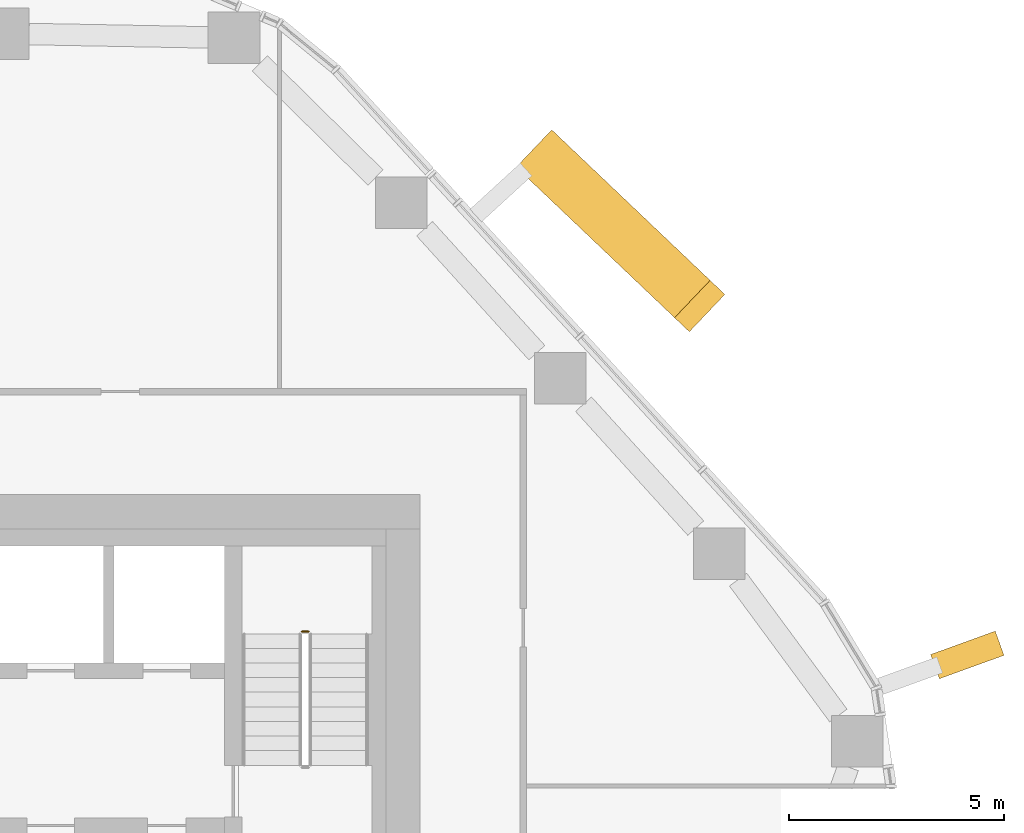
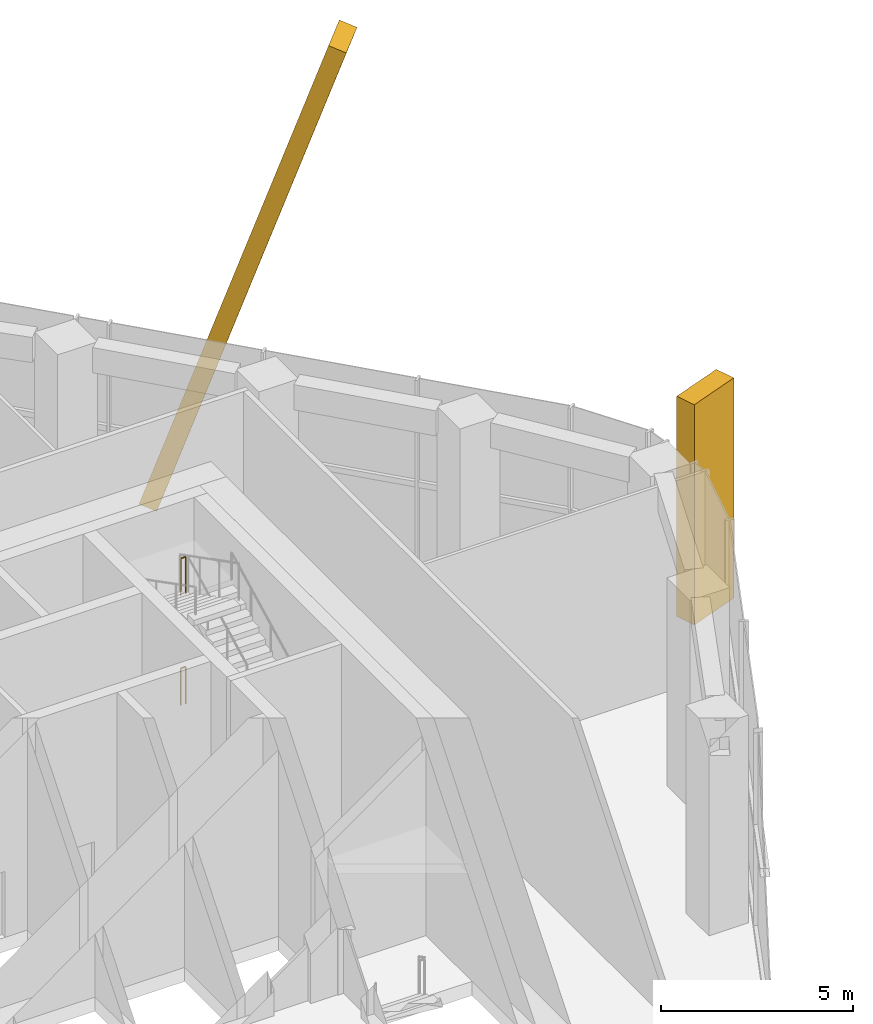
# One storey, part 19 of 20: 2 coverings, 2 railings, 2 elements without a shape of their own.
"""IFC4 building model written with IfcOpenShell, lengths in metres."""

from ifc_helpers import new_model, si_unit, direction, frame, origin, origin_2d, place, context, subcontext, project, spatial, rectangle, circle, extrude, material, layer, layer_set, material_profile, profile_set, type_object, element, aggregate, save


model = new_model("IFC4")

# Units and contexts
model_context = context("Model", 3, precision=1e-05, world=origin(), true_north=direction((0.0, 1.0)))
body_context = subcontext(model_context, "Body", "Model", "MODEL_VIEW")
ifc_project = project(units=[si_unit("LENGTHUNIT", "METRE"), si_unit("AREAUNIT", "SQUARE_METRE"), si_unit("VOLUMEUNIT", "CUBIC_METRE"), si_unit("PLANEANGLEUNIT", "RADIAN"), si_unit("MASSUNIT", "GRAM", prefix="KILO")], contexts=[model_context])

# Site, building, storey
site_placement = place(None, origin())
site = spatial("IfcSite", under=ifc_project, at=site_placement, CompositionType="ELEMENT")
building_placement = place(site_placement, origin())
building = spatial("IfcBuilding", under=site, at=building_placement, Name="Dongbaek Canopy Tower", CompositionType="ELEMENT")
storey_placement = place(building_placement, frame((0.0, 0.0, 151.60009765625)))
storey = spatial("IfcBuildingStorey", under=building, at=storey_placement, Name="L33", CompositionType="ELEMENT", Elevation=151.60009765625)

# Curtain wall, covering
ifc_material_1 = material(Name="Aluminium 6063-T6 pale anodised", Category="aluminium")
ifc_layer = layer(ifc_material_1, 0.25)
ifc_layer_set = layer_set([ifc_layer], Name="CW-4 sky-lobby curtain wall")
curtain_wall_type = type_object("IfcCurtainWallType", Name="CW-4 sky-lobby curtain wall", PredefinedType="NOTDEFINED", material=ifc_layer_set)
curtain_wall_1_placement = place(storey_placement, origin())
curtain_wall_1 = element("IfcCurtainWall", 1, at=curtain_wall_1_placement, inside=storey, type_object=curtain_wall_type, Name="CW-4 curtain wall K0.1b", PredefinedType="NOTDEFINED")
ifc_material_2 = material(Name="Aluminium 6063-T6 pale metal fin", Category="aluminium")
ifc_material_profile_1 = material_profile(ifc_material_2, rectangle(XDim=1.60009765625, YDim=0.60009765625, at=origin_2d()), Name="Corner fin CN1 600 x 1600 pale metal")
ifc_profile_set_1 = profile_set([ifc_material_profile_1], Name="Aluminium 6063-T6 pale metal fin")
covering_type_1 = type_object("IfcCoveringType", Name="Corner fin CN1 600 x 1600 pale metal", PredefinedType="CLADDING", material=ifc_profile_set_1)
covering_1_placement = place(storey_placement, frame((26.739013671875, 7.268310546875, -0.22509765625), z_axis=(0.0, 0.0, 1.0), x_axis=(0.940317233217, 0.340299134462, 0.0)))
covering_1 = element("IfcCovering", 2, at=covering_1_placement, type_object=covering_type_1, Name="Corner fin L33 L33 K0", PredefinedType="CLADDING", context=body_context, shape_type="SweptSolid", body=[
    extrude(rectangle(XDim=1.60009765625, YDim=0.60009765625, at=origin_2d()), origin(), (0.0, 0.0, 1.0), 7.014892578125),
])
aggregate(curtain_wall_1, [covering_1])

curtain_wall_2_placement = place(storey_placement, origin())
curtain_wall_2 = element("IfcCurtainWall", 3, at=curtain_wall_2_placement, inside=storey, type_object=curtain_wall_type, Name="CW-4 curtain wall F0.1a", PredefinedType="NOTDEFINED")
ifc_material_3 = material(Name="Aluminium 6063-T6 pale metal fin", Category="aluminium")
ifc_material_profile_2 = material_profile(ifc_material_3, rectangle(XDim=1.199951171875, YDim=0.5, at=origin_2d()), Name="Crease fin CF1 500 x 1200 pale metal")
ifc_profile_set_2 = profile_set([ifc_material_profile_2], Name="Aluminium 6063-T6 pale metal fin")
covering_type_2 = type_object("IfcCoveringType", Name="Crease fin CF1 500 x 1200 pale metal", PredefinedType="CLADDING", material=ifc_profile_set_2)
covering_2_placement = place(storey_placement, frame((16.8212890625, 18.896728515625, -0.22509765625), z_axis=(0.226909174947, -0.215702670842, 0.94972868974), x_axis=(0.688982718984, 0.724777767968, 0.0)))
covering_2 = element("IfcCovering", 4, at=covering_2_placement, type_object=covering_type_2, Name="Crease fin L33 L36 F0", PredefinedType="CLADDING", context=body_context, shape_type="SweptSolid", body=[
    extrude(rectangle(XDim=1.199951171875, YDim=0.5, at=origin_2d()), origin(), (0.0, 0.0, 1.0), 16.251953125),
])
aggregate(curtain_wall_2, [covering_2])

# Railings
ifc_material_4 = material(Name="Stainless steel tube and balusters", Category="steel")
railing_type = type_object("IfcRailingType", Name="Stair guard 1200", PredefinedType="GUARDRAIL", material=ifc_material_4)
for number, where, name in (
    (5, (11.39990234375, 7.81005859375, 1.75), "L33 ST-A stair guard 2"),
    (6, (11.39990234375, 7.81005859375, 5.25), "L33 ST-A stair guard 6"),
):
    element("IfcRailing", number, at=place(storey_placement, frame(where)), inside=storey, type_object=railing_type, Name=name, PredefinedType="GUARDRAIL", context=body_context, shape_type="SweptSolid", body=[
        extrude(circle(Radius=0.02392578125, at=origin_2d()), frame((0.0, 0.0, 1.17578125), z_axis=(-1.0, 0.0, 0.0), x_axis=(0.0, -1.0, 0.0)), (0.0, 0.0, 1.0), 0.14990234375),
        extrude(circle(Radius=0.02099609375, at=origin_2d()), origin(), (0.0, 0.0, 1.0), 1.15185546875),
        extrude(circle(Radius=0.02099609375, at=origin_2d()), frame((-0.14990234375, 0.0, 0.0)), (0.0, 0.0, 1.0), 1.15185546875),
    ])

save(model, "model.ifc")
